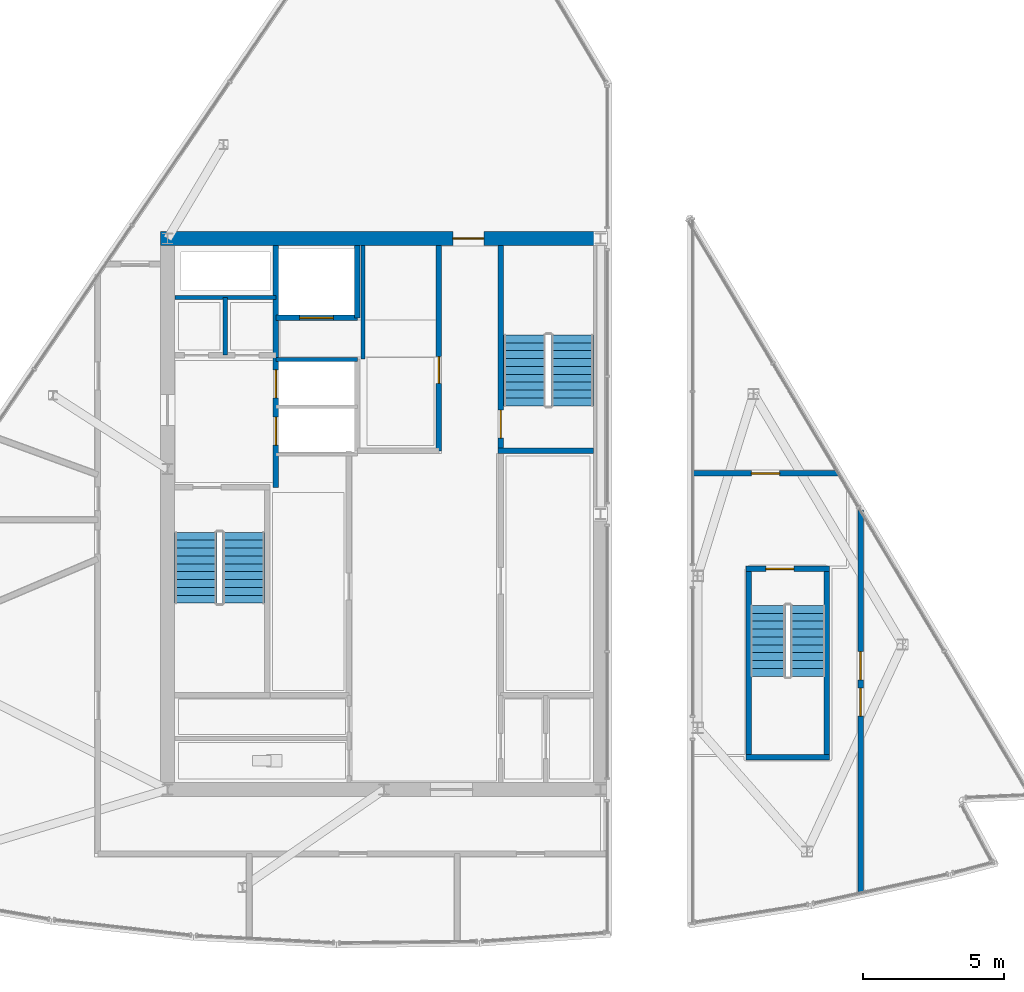
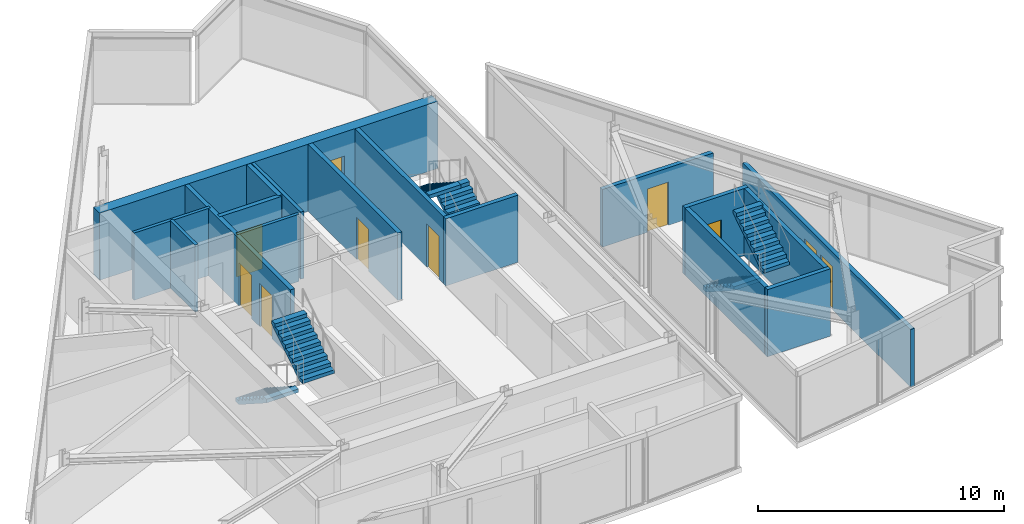
# One storey, part 10 of 15: 17 walls, 10 doors, 6 stair flights, 10 openings, 3 elements without a shape of their own.
"""IFC4 building model written with IfcOpenShell, lengths in metres."""

import ifcopenshell
import ifcopenshell.guid

model = None  # the IFC model being written
_history = None  # IfcOwnerHistory: only IFC2X3 demands one
_inside = {}  # id of a spatial element -> (the spatial element, [elements in it])
_under = {}  # id of a project, library or spatial element -> (it, [spatial elements below it])
_declared = {}  # id of a project -> (the project, [libraries it declares])
_typed = {}  # id of a type object -> (the type object, [elements of that type])
_made_of = {}  # id of a material, layer set ... -> (it, [elements and type objects made of it])


def new_model(schema):
    """Start an empty IFC model of exactly this schema.

    Asked for "IFC4X3", IfcOpenShell would pick the latest addendum, in which some entities
    have other attributes; the version numbers below select the first issue.
    IFC2X3 requires an IfcOwnerHistory on every rooted entity: one is made here for all.
    """
    global model, _history
    if schema == "IFC4X3":
        model = ifcopenshell.file(schema_version=(4, 3, 0, 0))
    else:
        model = ifcopenshell.file(schema=schema)
    _inside.clear()
    _under.clear()
    _declared.clear()
    _typed.clear()
    _made_of.clear()
    _history = None
    if model.schema == "IFC2X3":
        org = make("IfcOrganization", Name="unknown")
        user = make(
            "IfcPersonAndOrganization",
            ThePerson=make("IfcPerson", FamilyName="unknown"),
            TheOrganization=org,
        )
        app = make(
            "IfcApplication",
            ApplicationDeveloper=org,
            Version="unknown",
            ApplicationFullName="unknown",
            ApplicationIdentifier="unknown",
        )
        _history = make(
            "IfcOwnerHistory",
            OwningUser=user,
            OwningApplication=app,
            ChangeAction="ADDED",
            CreationDate=0,
        )
    return model


def make(cls, **values):
    """One entity of the class cls with the attributes given. An attribute that is None is left unset."""
    return model.create_entity(
        cls, **{name: value for name, value in values.items() if value is not None}
    )


def rooted(cls, **values):
    """An entity with a GlobalId (a new one), such as an element, a storey or a relation."""
    return make(cls, GlobalId=ifcopenshell.guid.new(), OwnerHistory=_history, **values)


def si_unit(unit_type, name, prefix=None):
    """IfcSIUnit, for example si_unit("LENGTHUNIT", "METRE", prefix="MILLI")."""
    return make("IfcSIUnit", UnitType=unit_type, Prefix=prefix, Name=name)


def assignment(units):
    """IfcUnitAssignment: the units of a project."""
    return None if units is None else make("IfcUnitAssignment", Units=units)


def point(xyz):
    """IfcCartesianPoint."""
    return None if xyz is None else make("IfcCartesianPoint", Coordinates=xyz)


def direction(xyz):
    """IfcDirection."""
    return None if xyz is None else make("IfcDirection", DirectionRatios=xyz)


def frame(location, z_axis=None, x_axis=None):
    """IfcAxis2Placement3D, a coordinate frame: its origin and axes. An axis left out is left unset."""
    return make(
        "IfcAxis2Placement3D",
        Location=point(location),
        Axis=direction(z_axis),
        RefDirection=direction(x_axis),
    )


def frame_2d(location, x_axis=None):
    """IfcAxis2Placement2D, a coordinate frame in the plane: its origin and x axis."""
    return make(
        "IfcAxis2Placement2D", Location=point(location), RefDirection=direction(x_axis)
    )


def origin():
    """The frame at (0, 0, 0) with its axes left unset."""
    return frame((0.0, 0.0, 0.0))


def place(relative_to, where):
    """IfcLocalPlacement: puts the frame where relative to a parent placement (None: the world)."""
    return make(
        "IfcLocalPlacement", PlacementRelTo=relative_to, RelativePlacement=where
    )


def context(
    kind, dimensions, precision=None, world=None, true_north=None, identifier=None
):
    """IfcGeometricRepresentationContext, for example the 3D "Model" context."""
    return make(
        "IfcGeometricRepresentationContext",
        ContextIdentifier=identifier,
        ContextType=kind,
        CoordinateSpaceDimension=dimensions,
        Precision=precision,
        WorldCoordinateSystem=world,
        TrueNorth=true_north,
    )


def subcontext(parent, identifier, kind, view, scale=None):
    """IfcGeometricRepresentationSubContext, for example "Body" below "Model"."""
    return make(
        "IfcGeometricRepresentationSubContext",
        ContextIdentifier=identifier,
        ContextType=kind,
        ParentContext=parent,
        TargetScale=scale,
        TargetView=view,
    )


def project(units=None, contexts=None):
    """IfcProject with its units and contexts."""
    return rooted(
        "IfcProject",
        Name="project",
        RepresentationContexts=contexts,
        UnitsInContext=assignment(units),
    )


def spatial(cls, under=None, at=None, **own):
    """A site, building, storey or space (cls), placed at a placement, below another one or the project."""
    s = rooted(cls, ObjectPlacement=at, **own)
    if under is not None:
        _under.setdefault(under.id(), (under, []))[1].append(s)
    return s


def polyline(points):
    """IfcPolyline through the points."""
    return make("IfcPolyline", Points=[point(p) for p in points])


def profile(cls, at=None, kind="AREA", **sizes):
    """A parametric profile (cls). Its sizes go by their IFC names, for example OverallWidth=200.0."""
    return make(cls, ProfileType=kind, Position=at, **sizes)


def rectangle(**sizes):
    """IfcRectangleProfileDef."""
    return profile("IfcRectangleProfileDef", **sizes)


def outline(outer, holes=None, kind="AREA"):
    """IfcArbitraryClosedProfileDef: a profile drawn as a closed curve; with holes, ...WithVoids."""
    if holes is None:
        return make("IfcArbitraryClosedProfileDef", ProfileType=kind, OuterCurve=outer)
    return make(
        "IfcArbitraryProfileDefWithVoids",
        ProfileType=kind,
        OuterCurve=outer,
        InnerCurves=holes,
    )


def extrude(swept, where, along, depth):
    """IfcExtrudedAreaSolid: the profile swept, set in the frame where, extruded along a direction by depth."""
    return make(
        "IfcExtrudedAreaSolid",
        SweptArea=swept,
        Position=where,
        ExtrudedDirection=direction(along),
        Depth=depth,
    )


def shape(context_of_items, identifier, shape_type, items):
    """IfcShapeRepresentation: the items that make up one representation, for example the "Body"."""
    return make(
        "IfcShapeRepresentation",
        ContextOfItems=context_of_items,
        RepresentationIdentifier=identifier,
        RepresentationType=shape_type,
        Items=items,
    )


def material(Name=None, Category=None):
    """IfcMaterial."""
    return make("IfcMaterial", Name=Name, Category=Category)


def layer(
    of_material, thickness, ventilated=None, Name=None, Category=None, Priority=None
):
    """IfcMaterialLayer: one layer of a wall or slab, of a material (None: an air gap)."""
    return make(
        "IfcMaterialLayer",
        Material=of_material,
        LayerThickness=thickness,
        IsVentilated=ventilated,
        Name=Name,
        Category=Category,
        Priority=Priority,
    )


def layer_set(layers, Name=None):
    """IfcMaterialLayerSet."""
    return make("IfcMaterialLayerSet", MaterialLayers=layers, LayerSetName=Name)


def made_of(thing, what):
    """Note that an element or type object is made of a material, layer set ...; save() writes the relation."""
    if what is not None:
        _made_of.setdefault(what.id(), (what, []))[1].append(thing)
    return thing


def type_object(cls, material=None, **own):
    """A type object (cls), such as IfcWallType, which elements share."""
    return made_of(rooted(cls, **own), material)


def element(
    cls,
    number,
    at=None,
    inside=None,
    cuts=None,
    type_object=None,
    material=None,
    context=None,
    identifier="Body",
    shape_type=None,
    held_by="IfcProductDefinitionShape",
    body=None,
    shapes=None,
    **own,
):
    """One element of the class cls, such as IfcWall. Its Tag is "e" and its number.

    at: its placement. inside: the storey or other place that contains it. cuts: it is an
    opening in that element (IfcRelVoidsElement). A single representation is given by context,
    identifier, shape_type and body (its items); several are given by shapes. held_by: the class
    of the entity that holds the representations. save() writes the other relations.
    """
    e = rooted(cls, Tag="e%d" % number, ObjectPlacement=at, **own)
    if body is not None:
        shapes = [shape(context, identifier, shape_type, body)]
    if shapes is not None:
        e.Representation = make(held_by, Representations=shapes)
    if inside is not None:
        _inside.setdefault(inside.id(), (inside, []))[1].append(e)
    if cuts is not None:
        rooted(
            "IfcRelVoidsElement", RelatingBuildingElement=cuts, RelatedOpeningElement=e
        )
    if type_object is not None:
        _typed.setdefault(type_object.id(), (type_object, []))[1].append(e)
    return made_of(e, material)


def fill(opening, filler):
    """IfcRelFillsElement: the door or window that sits in an opening."""
    return rooted(
        "IfcRelFillsElement",
        RelatingOpeningElement=opening,
        RelatedBuildingElement=filler,
    )


def aggregate(whole, parts):
    """IfcRelAggregates: a whole, such as a stair, and the parts it consists of."""
    return rooted("IfcRelAggregates", RelatingObject=whole, RelatedObjects=parts)


def save(model, path):
    """Write the relations noted so far, then the file.

    IfcRelAggregates (storeys below a building ...), IfcRelContainedInSpatialStructure (elements
    in a storey), IfcRelDefinesByType, IfcRelAssociatesMaterial and IfcRelDeclares: one each for
    every whole, place, type object, material and project.
    """
    for whole, parts in _under.values():
        aggregate(whole, parts)
    for where, things in _inside.values():
        rooted(
            "IfcRelContainedInSpatialStructure",
            RelatedElements=things,
            RelatingStructure=where,
        )
    for kind, things in _typed.values():
        rooted("IfcRelDefinesByType", RelatedObjects=things, RelatingType=kind)
    for what, things in _made_of.values():
        rooted("IfcRelAssociatesMaterial", RelatedObjects=things, RelatingMaterial=what)
    for by, libraries in _declared.values():
        rooted("IfcRelDeclares", RelatingContext=by, RelatedDefinitions=libraries)
    model.write(path)


model = new_model("IFC4")

# Units and contexts
model_context = context("Model", 3, precision=1e-05, world=origin(), true_north=direction((0.0, 1.0)))
body_context = subcontext(model_context, "Body", "Model", "MODEL_VIEW")
ifc_project = project(units=[si_unit("LENGTHUNIT", "METRE"), si_unit("AREAUNIT", "SQUARE_METRE"), si_unit("VOLUMEUNIT", "CUBIC_METRE"), si_unit("PLANEANGLEUNIT", "RADIAN"), si_unit("MASSUNIT", "GRAM", prefix="KILO")], contexts=[model_context])

# Site, building, storey
site_placement = place(None, origin())
site = spatial("IfcSite", under=ifc_project, at=site_placement, CompositionType="ELEMENT")
building_placement = place(site_placement, origin())
building = spatial("IfcBuilding", under=site, at=building_placement, Name="Savorim Split Tower", CompositionType="ELEMENT")
storey_placement = place(building_placement, frame((0.0, 0.0, 308.39990234375)))
storey = spatial("IfcBuildingStorey", under=building, at=storey_placement, Name="Crown L82 Plant", CompositionType="ELEMENT", Elevation=308.39990234375)

# Wall, opening, door
ifc_material_1 = material(Name="Concrete C60/75", Category="concrete")
ifc_layer_1 = layer(ifc_material_1, 0.5)
ifc_layer_set_1 = layer_set([ifc_layer_1], Name="WAL-COR-SH500")
wall_type_1 = type_object("IfcWallType", Name="WAL-COR-SH500", PredefinedType="SHEAR", material=ifc_layer_set_1)
wall_1_placement = place(storey_placement, frame((7.949951171875, 10.199951171875, 0.0), z_axis=(0.0, 0.0, 1.0), x_axis=(-1.0, 0.0, 0.0)))
wall_1 = element("IfcWall", 1, at=wall_1_placement, inside=storey, type_object=wall_type_1, Name="Crown L82 Plant Offset Core North Shear Wall", PredefinedType="SHEAR", context=body_context, shape_type="SweptSolid", body=[
    extrude(rectangle(XDim=15.89990234375, YDim=0.5, at=frame_2d((7.949951171875, 0.0))), origin(), (0.0, 0.0, 1.0), 3.340087890625),
])
opening_1_placement = place(wall_1_placement, frame((4.39990234375, 0.0, 0.0)))
opening_1 = element("IfcOpeningElement", 2, at=opening_1_placement, cuts=wall_1, Name="Opening DI-03", PredefinedType="OPENING", context=body_context, shape_type="SweptSolid", body=[
    extrude(rectangle(XDim=1.10009765625, YDim=2.14990234375, at=frame_2d((0.550048828125, 1.074951171875))), frame((0.0, 0.260009765625, 0.0), z_axis=(0.0, -1.0, 0.0), x_axis=(1.0, 0.0, 0.0)), (0.0, 0.0, 1.0), 0.52001953125),
])
ifc_material_2 = material(Name="Timber Fire Door Leaf", Category="wood")
door_type_1 = type_object("IfcDoorType", Name="DOR-FIR-1100", OperationType="NOTDEFINED", PredefinedType="DOOR", material=ifc_material_2)
door_1_placement = place(opening_1_placement, origin())
door_1 = element("IfcDoor", 3, at=door_1_placement, inside=storey, type_object=door_type_1, Name="DOR-Crown-L82-Plant-COR-NLOB - Crown L82 Plant North Corridor Lobby Fire Door", OperationType="SINGLE_SWING_LEFT", OverallHeight=2.14990234375, OverallWidth=1.10009765625, PredefinedType="DOOR", context=body_context, shape_type="SweptSolid", body=[
    extrude(rectangle(XDim=1.10009765625, YDim=2.14990234375, at=frame_2d((0.550048828125, 1.074951171875))), frame((0.0, 0.02490234375, 0.0), z_axis=(0.0, -1.0, 0.0), x_axis=(1.0, 0.0, 0.0)), (0.0, 0.0, 1.0), 0.050048828125),
])
fill(opening_1, door_1)

# Wall, openings, doors
ifc_material_3 = material(Name="Concrete C50/60", Category="concrete")
ifc_layer_2 = layer(ifc_material_3, 0.199951171875)
ifc_layer_set_2 = layer_set([ifc_layer_2], Name="WAL-INT-RC200")
wall_type_2 = type_object("IfcWallType", Name="WAL-INT-RC200", PredefinedType="SOLIDWALL", material=ifc_layer_set_2)
wall_2_placement = place(storey_placement, frame((-3.85009765625, 1.35009765625, 0.0), z_axis=(0.0, 0.0, 1.0), x_axis=(0.0, 1.0, 0.0)))
wall_2 = element("IfcWall", 4, at=wall_2_placement, inside=storey, type_object=wall_type_2, Name="Crown L82 Plant Partition W-Crown-L82-Plant-CR03", PredefinedType="SOLIDWALL", context=body_context, shape_type="SweptSolid", body=[
    extrude(rectangle(XDim=8.594970703125, YDim=0.199951171875, at=frame_2d((4.29736328125, 0.0))), origin(), (0.0, 0.0, 1.0), 3.340087890625),
])
opening_2_placement = place(wall_2_placement, frame((1.5, 0.0, 0.0)))
opening_2 = element("IfcOpeningElement", 5, at=opening_2_placement, cuts=wall_2, Name="Opening LD-FFL", PredefinedType="OPENING", context=body_context, shape_type="SweptSolid", body=[
    extrude(rectangle(XDim=1.0, YDim=2.14990234375, at=frame_2d((0.5, 1.074951171875))), frame((0.0, 0.10986328125, 0.0), z_axis=(0.0, -1.0, 0.0), x_axis=(1.0, 0.0, 0.0)), (0.0, 0.0, 1.0), 0.219970703125),
])
opening_3_placement = place(wall_2_placement, frame((3.179931640625, 0.0, 0.0)))
opening_3 = element("IfcOpeningElement", 6, at=opening_3_placement, cuts=wall_2, Name="Opening LD-FFL", PredefinedType="OPENING", context=body_context, shape_type="SweptSolid", body=[
    extrude(rectangle(XDim=1.0, YDim=2.14990234375, at=frame_2d((0.5, 1.074951171875))), frame((0.0, 0.10986328125, 0.0), z_axis=(0.0, -1.0, 0.0), x_axis=(1.0, 0.0, 0.0)), (0.0, 0.0, 1.0), 0.219970703125),
])
ifc_material_4 = material(Name="Charcoal Anodised Aluminium", Category="aluminium")
door_type_2 = type_object("IfcDoorType", Name="DOR-SLD-LD1000", OperationType="NOTDEFINED", PredefinedType="DOOR", material=ifc_material_4)
door_2_placement = place(opening_2_placement, origin())
door_2 = element("IfcDoor", 7, at=door_2_placement, inside=storey, type_object=door_type_2, Name="DR-Crown-L82-Plant-LD-FFL1 - Crown L82 Plant Firefighting Lift FFL-1 Sliding Landing Door", OperationType="DOUBLE_DOOR_SLIDING", OverallHeight=2.14990234375, OverallWidth=1.0, PredefinedType="DOOR", context=body_context, shape_type="SweptSolid", body=[
    extrude(rectangle(XDim=1.0, YDim=2.14990234375, at=frame_2d((0.5, 1.074951171875))), frame((0.0, 0.02490234375, 0.0), z_axis=(0.0, -1.0, 0.0), x_axis=(1.0, 0.0, 0.0)), (0.0, 0.0, 1.0), 0.050048828125),
])
fill(opening_2, door_2)
door_3_placement = place(opening_3_placement, origin())
door_3 = element("IfcDoor", 8, at=door_3_placement, inside=storey, type_object=door_type_2, Name="DR-Crown-L82-Plant-LD-FFL2 - Crown L82 Plant Firefighting Lift FFL-2 Sliding Landing Door", OperationType="DOUBLE_DOOR_SLIDING", OverallHeight=2.14990234375, OverallWidth=1.0, PredefinedType="DOOR", context=body_context, shape_type="SweptSolid", body=[
    extrude(rectangle(XDim=1.0, YDim=2.14990234375, at=frame_2d((0.5, 1.074951171875))), frame((0.0, 0.02490234375, 0.0), z_axis=(0.0, -1.0, 0.0), x_axis=(1.0, 0.0, 0.0)), (0.0, 0.0, 1.0), 0.050048828125),
])
fill(opening_3, door_3)

# Wall, opening, door
wall_3_placement = place(storey_placement, frame((4.14990234375, 2.75, 0.0), z_axis=(0.0, 0.0, 1.0), x_axis=(0.0, 1.0, 0.0)))
wall_3 = element("IfcWall", 9, at=wall_3_placement, inside=storey, type_object=wall_type_2, Name="Crown L82 Plant Structural Shaft Wall W-Crown-L82-Plant-CR07", PredefinedType="SOLIDWALL", context=body_context, shape_type="SweptSolid", body=[
    extrude(rectangle(XDim=7.199951171875, YDim=0.199951171875, at=frame_2d((3.60009765625, 0.0))), origin(), (0.0, 0.0, 1.0), 3.340087890625),
])
opening_4_placement = place(wall_3_placement, frame((0.35009765625, 0.0, 0.0)))
opening_4 = element("IfcOpeningElement", 10, at=opening_4_placement, cuts=wall_3, Name="Opening DI-04", PredefinedType="OPENING", context=body_context, shape_type="SweptSolid", body=[
    extrude(rectangle(XDim=1.0, YDim=2.14990234375, at=frame_2d((0.5, 1.074951171875))), frame((0.0, 0.10986328125, 0.0), z_axis=(0.0, -1.0, 0.0), x_axis=(1.0, 0.0, 0.0)), (0.0, 0.0, 1.0), 0.219970703125),
])
door_type_3 = type_object("IfcDoorType", Name="DOR-FIR-1000", OperationType="NOTDEFINED", PredefinedType="DOOR", material=ifc_material_2)
door_4_placement = place(opening_4_placement, origin())
door_4 = element("IfcDoor", 11, at=door_4_placement, inside=storey, type_object=door_type_3, Name="DR-Crown-L82-Plant-ST2 - Crown L82 Plant Stair ST-2 Enclosure Door", OperationType="SINGLE_SWING_RIGHT", OverallHeight=2.14990234375, OverallWidth=1.0, PredefinedType="DOOR", context=body_context, shape_type="SweptSolid", body=[
    extrude(rectangle(XDim=1.0, YDim=2.14990234375, at=frame_2d((0.5, 1.074951171875))), frame((0.0, 0.02490234375, 0.0), z_axis=(0.0, -1.0, 0.0), x_axis=(1.0, 0.0, 0.0)), (0.0, 0.0, 1.0), 0.050048828125),
])
fill(opening_4, door_4)

# Wall
wall_4_placement = place(storey_placement, frame((4.050048828125, 2.64990234375, 0.0), z_axis=(0.0, 0.0, 1.0), x_axis=(1.0, 0.0, 0.0)))
element("IfcWall", 12, at=wall_4_placement, inside=storey, type_object=wall_type_2, Name="Crown L82 Plant Structural Shaft Wall W-Crown-L82-Plant-CR08", PredefinedType="SOLIDWALL", context=body_context, shape_type="SweptSolid", body=[
    extrude(rectangle(XDim=3.39990234375, YDim=0.199951171875, at=frame_2d((1.699951171875, 0.0))), origin(), (0.0, 0.0, 1.0), 3.340087890625),
])

# Wall, opening, door
wall_5_placement = place(storey_placement, frame((-3.85009765625, 7.3798828125, 0.0), z_axis=(0.0, 0.0, 1.0), x_axis=(1.0, 0.0, 0.0)))
wall_5 = element("IfcWall", 13, at=wall_5_placement, inside=storey, type_object=wall_type_2, Name="Crown L82 Plant Partition W-Crown-L82-Plant-SVLS", PredefinedType="SOLIDWALL", context=body_context, shape_type="SweptSolid", body=[
    extrude(rectangle(XDim=2.900146484375, YDim=0.199951171875, at=frame_2d((1.4501953125, 0.0))), origin(), (0.0, 0.0, 1.0), 3.340087890625),
])
opening_5_placement = place(wall_5_placement, frame((0.85009765625, 0.0, 0.0)))
opening_5 = element("IfcOpeningElement", 14, at=opening_5_placement, cuts=wall_5, Name="Opening LD-SV", PredefinedType="OPENING", context=body_context, shape_type="SweptSolid", body=[
    extrude(rectangle(XDim=1.199951171875, YDim=2.199951171875, at=frame_2d((0.60009765625, 1.10009765625))), frame((0.0, 0.10986328125, 0.0), z_axis=(0.0, -1.0, 0.0), x_axis=(1.0, 0.0, 0.0)), (0.0, 0.0, 1.0), 0.219970703125),
])
door_type_4 = type_object("IfcDoorType", Name="DOR-SLD-SV1200", OperationType="NOTDEFINED", PredefinedType="DOOR", material=ifc_material_4)
door_5_placement = place(opening_5_placement, origin())
door_5 = element("IfcDoor", 15, at=door_5_placement, inside=storey, type_object=door_type_4, Name="DR-Crown-L82-Plant-LD-SVL1 - Crown L82 Plant Service Lift SVL-1 Sliding Landing Door", OperationType="DOUBLE_DOOR_SLIDING", OverallHeight=2.199951171875, OverallWidth=1.199951171875, PredefinedType="DOOR", context=body_context, shape_type="SweptSolid", body=[
    extrude(rectangle(XDim=1.199951171875, YDim=2.199951171875, at=frame_2d((0.60009765625, 1.10009765625))), frame((0.0, 0.02490234375, 0.0), z_axis=(0.0, -1.0, 0.0), x_axis=(1.0, 0.0, 0.0)), (0.0, 0.0, 1.0), 0.050048828125),
])
fill(opening_5, door_5)

# Wall
wall_6_placement = place(storey_placement, frame((-0.949951171875, 7.3798828125, 0.0), z_axis=(0.0, 0.0, 1.0), x_axis=(0.0, 1.0, 0.0)))
element("IfcWall", 16, at=wall_6_placement, inside=storey, type_object=wall_type_2, Name="Crown L82 Plant Partition W-Crown-L82-Plant-SVLE", PredefinedType="SOLIDWALL", context=body_context, shape_type="SweptSolid", body=[
    extrude(rectangle(XDim=2.565185546875, YDim=0.199951171875, at=frame_2d((1.28271484375, 0.0))), origin(), (0.0, 0.0, 1.0), 3.340087890625),
])

# Wall, opening, door
wall_7_placement = place(storey_placement, frame((1.949951171875, 2.64990234375, 0.0), z_axis=(0.0, 0.0, 1.0), x_axis=(0.0, 1.0, 0.0)))
wall_7 = element("IfcWall", 17, at=wall_7_placement, inside=storey, type_object=wall_type_2, Name="Crown L82 Plant Partition W-Crown-L82-Plant-B3FRONT", PredefinedType="SOLIDWALL", context=body_context, shape_type="SweptSolid", body=[
    extrude(rectangle(XDim=7.295166015625, YDim=0.199951171875, at=frame_2d((3.6474609375, 0.0))), origin(), (0.0, 0.0, 1.0), 3.340087890625),
])
opening_6_placement = place(wall_7_placement, frame((2.39990234375, 0.0, 0.0)))
opening_6 = element("IfcOpeningElement", 18, at=opening_6_placement, cuts=wall_7, Name="Opening DI-05", PredefinedType="OPENING", context=body_context, shape_type="SweptSolid", body=[
    extrude(rectangle(XDim=0.949951171875, YDim=2.10009765625, at=frame_2d((0.47509765625, 1.050048828125))), frame((0.0, 0.10986328125, 0.0), z_axis=(0.0, -1.0, 0.0), x_axis=(1.0, 0.0, 0.0)), (0.0, 0.0, 1.0), 0.219970703125),
])
door_type_5 = type_object("IfcDoorType", Name="DOR-FIR-950", OperationType="NOTDEFINED", PredefinedType="DOOR", material=ifc_material_2)
door_6_placement = place(opening_6_placement, origin())
door_6 = element("IfcDoor", 19, at=door_6_placement, inside=storey, type_object=door_type_5, Name="DR-Crown-L82-Plant-B3CRN - Crown L82 Plant Crown BMS Plant Room Door", OperationType="SINGLE_SWING_LEFT", OverallHeight=2.10009765625, OverallWidth=0.949951171875, PredefinedType="DOOR", context=body_context, shape_type="SweptSolid", body=[
    extrude(rectangle(XDim=0.949951171875, YDim=2.10009765625, at=frame_2d((0.47509765625, 1.050048828125))), frame((0.0, 0.02490234375, 0.0), z_axis=(0.0, -1.0, 0.0), x_axis=(1.0, 0.0, 0.0)), (0.0, 0.0, 1.0), 0.050048828125),
])
fill(opening_6, door_6)

# Wall
wall_8_placement = place(storey_placement, frame((12.8798828125, -8.25, 0.0), z_axis=(0.0, 0.0, 1.0), x_axis=(1.0, 0.0, 0.0)))
element("IfcWall", 20, at=wall_8_placement, inside=storey, type_object=wall_type_2, Name="Crown L82 Plant Structural Shaft Wall W-Crown-L82-Plant-STCES", PredefinedType="SOLIDWALL", context=body_context, shape_type="SweptSolid", body=[
    extrude(rectangle(XDim=2.97021484375, YDim=0.199951171875, at=frame_2d((1.485107421875, 0.0))), origin(), (0.0, 0.0, 1.0), 3.340087890625),
])

# Wall, opening, door
wall_9_placement = place(storey_placement, frame((12.8798828125, -1.550048828125, 0.0), z_axis=(0.0, 0.0, 1.0), x_axis=(1.0, 0.0, 0.0)))
wall_9 = element("IfcWall", 21, at=wall_9_placement, inside=storey, type_object=wall_type_2, Name="Crown L82 Plant Structural Shaft Wall W-Crown-L82-Plant-STCEN", PredefinedType="SOLIDWALL", context=body_context, shape_type="SweptSolid", body=[
    extrude(rectangle(XDim=2.97021484375, YDim=0.199951171875, at=frame_2d((1.485107421875, 0.0))), origin(), (0.0, 0.0, 1.0), 3.340087890625),
])
opening_7_placement = place(wall_9_placement, frame((0.699951171875, 0.0, 0.0)))
opening_7 = element("IfcOpeningElement", 22, at=opening_7_placement, cuts=wall_9, Name="Opening DI-04", PredefinedType="OPENING", context=body_context, shape_type="SweptSolid", body=[
    extrude(rectangle(XDim=1.0, YDim=2.14990234375, at=frame_2d((0.5, 1.074951171875))), frame((0.0, 0.10986328125, 0.0), z_axis=(0.0, -1.0, 0.0), x_axis=(1.0, 0.0, 0.0)), (0.0, 0.0, 1.0), 0.219970703125),
])
door_7_placement = place(opening_7_placement, origin())
door_7 = element("IfcDoor", 23, at=door_7_placement, inside=storey, type_object=door_type_3, Name="DR-Crown-L82-Plant-STCE - Crown L82 Plant East Crown Stair Door", OperationType="SINGLE_SWING_RIGHT", OverallHeight=2.14990234375, OverallWidth=1.0, PredefinedType="DOOR", context=body_context, shape_type="SweptSolid", body=[
    extrude(rectangle(XDim=1.0, YDim=2.14990234375, at=frame_2d((0.5, 1.074951171875))), frame((0.0, 0.02490234375, 0.0), z_axis=(0.0, -1.0, 0.0), x_axis=(1.0, 0.0, 0.0)), (0.0, 0.0, 1.0), 0.050048828125),
])
fill(opening_7, door_7)

# Walls
for number, where, z_axis, x_axis, name in (
    (24, (12.969970703125, -8.14990234375, 0.0), (0.0, 0.0, 1.0), (0.0, 1.0, 0.0), "Crown L82 Plant Structural Shaft Wall W-Crown-L82-Plant-STCEW"),
    (25, (15.75, -8.14990234375, 0.0), (0.0, 0.0, 1.0), (0.0, 1.0, 0.0), "Crown L82 Plant Structural Shaft Wall W-Crown-L82-Plant-STCEE"),
):
    element("IfcWall", number, at=place(storey_placement, frame(where, z_axis=z_axis, x_axis=x_axis)), inside=storey, type_object=wall_type_2, Name=name, PredefinedType="SOLIDWALL", context=body_context, shape_type="SweptSolid", body=[
        extrude(rectangle(XDim=6.5, YDim=0.199951171875, at=frame_2d((3.25, 0.0))), origin(), (0.0, 0.0, 1.0), 3.340087890625),
    ])

# Wall, openings, doors
wall_10_placement = place(storey_placement, frame((16.949951171875, -13.123779296875, 0.0), z_axis=(0.0, 0.0, 1.0), x_axis=(0.0, 1.0, 0.0)))
wall_10 = element("IfcWall", 26, at=wall_10_placement, inside=storey, type_object=wall_type_2, Name="Crown L82 Plant Partition W-Crown-L82-Plant-ECE", PredefinedType="SOLIDWALL", context=body_context, shape_type="SweptSolid", body=[
    extrude(rectangle(XDim=13.664794921875, YDim=0.199951171875, at=frame_2d((6.83251953125, 0.0))), origin(), (0.0, 0.0, 1.0), 2.864990234375),
])
opening_8_placement = place(wall_10_placement, frame((6.332275390625, 0.0, 0.0)))
opening_8 = element("IfcOpeningElement", 27, at=opening_8_placement, cuts=wall_10, Name="Opening DI-04", PredefinedType="OPENING", context=body_context, shape_type="SweptSolid", body=[
    extrude(rectangle(XDim=1.0, YDim=2.14990234375, at=frame_2d((0.5, 1.074951171875))), frame((0.0, 0.10986328125, 0.0), z_axis=(0.0, -1.0, 0.0), x_axis=(1.0, 0.0, 0.0)), (0.0, 0.0, 1.0), 0.219970703125),
])
opening_9_placement = place(wall_10_placement, frame((7.62841796875, 0.0, 0.0)))
opening_9 = element("IfcOpeningElement", 28, at=opening_9_placement, cuts=wall_10, Name="Opening DI-04", PredefinedType="OPENING", context=body_context, shape_type="SweptSolid", body=[
    extrude(rectangle(XDim=1.0, YDim=2.14990234375, at=frame_2d((0.5, 1.074951171875))), frame((0.0, 0.10986328125, 0.0), z_axis=(0.0, -1.0, 0.0), x_axis=(1.0, 0.0, 0.0)), (0.0, 0.0, 1.0), 0.219970703125),
])
door_8_placement = place(opening_8_placement, origin())
door_8 = element("IfcDoor", 29, at=door_8_placement, inside=storey, type_object=door_type_3, Name="DR-Crown-L82-Plant-ERM01 - Crown L82 Plant East Cooling Plant Room Entry Door", OperationType="SINGLE_SWING_RIGHT", OverallHeight=2.14990234375, OverallWidth=1.0, PredefinedType="DOOR", context=body_context, shape_type="SweptSolid", body=[
    extrude(rectangle(XDim=1.0, YDim=2.14990234375, at=frame_2d((0.5, 1.074951171875))), frame((0.0, 0.02490234375, 0.0), z_axis=(0.0, -1.0, 0.0), x_axis=(1.0, 0.0, 0.0)), (0.0, 0.0, 1.0), 0.050048828125),
])
fill(opening_8, door_8)
door_9_placement = place(opening_9_placement, origin())
door_9 = element("IfcDoor", 30, at=door_9_placement, inside=storey, type_object=door_type_3, Name="DR-Crown-L82-Plant-ERM02 - Crown L82 Plant East Heat Recovery AHU Plant Room Entry Door", OperationType="SINGLE_SWING_LEFT", OverallHeight=2.14990234375, OverallWidth=1.0, PredefinedType="DOOR", context=body_context, shape_type="SweptSolid", body=[
    extrude(rectangle(XDim=1.0, YDim=2.14990234375, at=frame_2d((0.5, 1.074951171875))), frame((0.0, 0.02490234375, 0.0), z_axis=(0.0, -1.0, 0.0), x_axis=(1.0, 0.0, 0.0)), (0.0, 0.0, 1.0), 0.050048828125),
])
fill(opening_9, door_9)

# Wall, opening, door
wall_11_placement = place(storey_placement, frame((10.9599609375, 1.85009765625, 0.0), z_axis=(0.0, 0.0, 1.0), x_axis=(1.0, 0.0, 0.0)))
wall_11 = element("IfcWall", 31, at=wall_11_placement, inside=storey, type_object=wall_type_2, Name="Crown L82 Plant Partition W-Crown-L82-Plant-ECN", PredefinedType="SOLIDWALL", context=body_context, shape_type="SweptSolid", body=[
    extrude(rectangle(XDim=5.211669921875, YDim=0.199951171875, at=frame_2d((2.60595703125, 0.0))), origin(), (0.0, 0.0, 1.0), 2.864990234375),
])
opening_10_placement = place(wall_11_placement, frame((2.105712890625, 0.0, 0.0)))
opening_10 = element("IfcOpeningElement", 32, at=opening_10_placement, cuts=wall_11, Name="Opening DI-04", PredefinedType="OPENING", context=body_context, shape_type="SweptSolid", body=[
    extrude(rectangle(XDim=1.0, YDim=2.14990234375, at=frame_2d((0.5, 1.074951171875))), frame((0.0, 0.10986328125, 0.0), z_axis=(0.0, -1.0, 0.0), x_axis=(1.0, 0.0, 0.0)), (0.0, 0.0, 1.0), 0.219970703125),
])
door_10_placement = place(opening_10_placement, origin())
door_10 = element("IfcDoor", 33, at=door_10_placement, inside=storey, type_object=door_type_3, Name="DR-Crown-L82-Plant-ERM03 - Crown L82 Plant East Cooling Plant Room Entry Door", OperationType="SINGLE_SWING_RIGHT", OverallHeight=2.14990234375, OverallWidth=1.0, PredefinedType="DOOR", context=body_context, shape_type="SweptSolid", body=[
    extrude(rectangle(XDim=1.0, YDim=2.14990234375, at=frame_2d((0.5, 1.074951171875))), frame((0.0, 0.02490234375, 0.0), z_axis=(0.0, -1.0, 0.0), x_axis=(1.0, 0.0, 0.0)), (0.0, 0.0, 1.0), 0.050048828125),
])
fill(opening_10, door_10)

# Walls
ifc_material_5 = material(Name="Acoustic Gypsum Partition Board")
ifc_layer_3 = layer(ifc_material_5, 0.14990234375)
ifc_layer_set_3 = layer_set([ifc_layer_3], Name="WAL-PAR-150")
wall_type_3 = type_object("IfcWallType", Name="WAL-PAR-150", PredefinedType="PARTITIONING", material=ifc_layer_set_3)
wall_12_placement = place(storey_placement, frame((-7.445068359375, 8.10009765625, 0.0), z_axis=(0.0, 0.0, 1.0), x_axis=(1.0, 0.0, 0.0)))
element("IfcWall", 34, at=wall_12_placement, inside=storey, type_object=wall_type_3, Name="Crown L82 Plant Partition W-Crown-L82-Plant-CR05", PredefinedType="PARTITIONING", context=body_context, shape_type="SweptSolid", body=[
    extrude(rectangle(XDim=3.594970703125, YDim=0.14990234375, at=frame_2d((1.79736328125, 0.0))), origin(), (0.0, 0.0, 1.0), 3.340087890625),
])
wall_13_placement = place(storey_placement, frame((-5.64990234375, 6.050048828125, 0.0), z_axis=(0.0, 0.0, 1.0), x_axis=(0.0, 1.0, 0.0)))
element("IfcWall", 35, at=wall_13_placement, inside=storey, type_object=wall_type_3, Name="Crown L82 Plant Partition W-Crown-L82-Plant-CR06", PredefinedType="PARTITIONING", context=body_context, shape_type="SweptSolid", body=[
    extrude(rectangle(XDim=2.050048828125, YDim=0.14990234375, at=frame_2d((1.02490234375, 0.0))), origin(), (0.0, 0.0, 1.0), 3.340087890625),
])
wall_14_placement = place(storey_placement, frame((-3.85009765625, 5.89990234375, 0.0), z_axis=(0.0, 0.0, 1.0), x_axis=(1.0, 0.0, 0.0)))
element("IfcWall", 36, at=wall_14_placement, inside=storey, type_object=wall_type_3, Name="Crown L82 Plant Partition W-Crown-L82-Plant-FFLD2", PredefinedType="PARTITIONING", context=body_context, shape_type="SweptSolid", body=[
    extrude(rectangle(XDim=2.900146484375, YDim=0.14990234375, at=frame_2d((1.4501953125, 0.0))), origin(), (0.0, 0.0, 1.0), 3.340087890625),
])
wall_15_placement = place(storey_placement, frame((-0.75, 5.919921875, 0.0), z_axis=(0.0, 0.0, 1.0), x_axis=(0.0, 1.0, 0.0)))
element("IfcWall", 37, at=wall_15_placement, inside=storey, type_object=wall_type_3, Name="Crown L82 Plant Partition W-Crown-L82-Plant-B3WEST", PredefinedType="PARTITIONING", context=body_context, shape_type="SweptSolid", body=[
    extrude(rectangle(XDim=4.025146484375, YDim=0.14990234375, at=frame_2d((2.0126953125, 0.0))), origin(), (0.0, 0.0, 1.0), 3.340087890625),
])

# Stair, stair flights
stair_type_1 = type_object("IfcStairType", Name="STR-CRN-3600", PredefinedType="HALF_TURN_STAIR", material=ifc_material_3)
stair_1_placement = place(storey_placement, origin())
stair_1 = element("IfcStair", 38, at=stair_1_placement, inside=storey, type_object=stair_type_1, Name="Crown L82 Plant East Crown Peak Internal Plant Stair ST-CRN-E", PredefinedType="HALF_TURN_STAIR")
stair_flight_type_1 = type_object("IfcStairFlightType", Name="SFL-CRN-3600", PredefinedType="STRAIGHT", material=ifc_material_3)
stair_flight_1_placement = place(storey_placement, frame((13.64501953125, -2.85009765625, 0.0), z_axis=(0.0, 0.0, 1.0), x_axis=(0.0, -1.0, 0.0)))
stair_flight_1 = element("IfcStairFlight", 39, at=stair_flight_1_placement, type_object=stair_flight_type_1, Name="ST-CRN-E flight 1", NumberOfRisers=10, NumberOfTreads=9, PredefinedType="STRAIGHT", RiserHeight=0.18, TreadLength=0.28, context=body_context, shape_type="SweptSolid", body=[
    extrude(outline(polyline([(0.0, 0.0), (0.0, 0.179931640625), (0.280029296875, 0.179931640625), (0.280029296875, 0.360107421875), (0.56005859375, 0.360107421875), (0.56005859375, 0.5400390625), (0.840087890625, 0.5400390625), (0.840087890625, 0.719970703125), (1.1201171875, 0.719970703125), (1.1201171875, 0.89990234375), (1.39990234375, 0.89990234375), (1.39990234375, 1.080078125), (1.679931640625, 1.080078125), (1.679931640625, 1.260009765625), (1.9599609375, 1.260009765625), (1.9599609375, 1.43994140625), (2.239990234375, 1.43994140625), (2.239990234375, 1.6201171875), (2.52001953125, 1.6201171875), (2.52001953125, 1.800048828125), (2.52001953125, 1.44189453125), (0.277099609375, 0.0), (0.0, 0.0)])), frame((0.0, 0.625, 0.0), z_axis=(0.0, -1.0, 0.0), x_axis=(1.0, 0.0, 0.0)), (0.0, 0.0, 1.0), 1.25),
])
stair_flight_2_placement = place(storey_placement, frame((15.074951171875, -5.3701171875, 1.800048828125), z_axis=(0.0, 0.0, 1.0), x_axis=(0.0, 1.0, 0.0)))
stair_flight_2 = element("IfcStairFlight", 40, at=stair_flight_2_placement, type_object=stair_flight_type_1, Name="ST-CRN-E flight 2", NumberOfRisers=10, NumberOfTreads=9, PredefinedType="STRAIGHT", RiserHeight=0.18, TreadLength=0.28, context=body_context, shape_type="SweptSolid", body=[
    extrude(outline(polyline([(0.0, 0.0), (0.0, 0.179931640625), (0.280029296875, 0.179931640625), (0.280029296875, 0.360107421875), (0.56005859375, 0.360107421875), (0.56005859375, 0.5400390625), (0.840087890625, 0.5400390625), (0.840087890625, 0.719970703125), (1.1201171875, 0.719970703125), (1.1201171875, 0.89990234375), (1.39990234375, 0.89990234375), (1.39990234375, 1.080078125), (1.679931640625, 1.080078125), (1.679931640625, 1.260009765625), (1.9599609375, 1.260009765625), (1.9599609375, 1.43994140625), (2.239990234375, 1.43994140625), (2.239990234375, 1.6201171875), (2.52001953125, 1.6201171875), (2.52001953125, 1.800048828125), (2.52001953125, 1.44189453125), (0.277099609375, 0.0), (0.0, 0.0)])), frame((0.0, 0.625, 0.0), z_axis=(0.0, -1.0, 0.0), x_axis=(1.0, 0.0, 0.0)), (0.0, 0.0, 1.0), 1.25),
])
aggregate(stair_1, [stair_flight_1, stair_flight_2])

stair_type_2 = type_object("IfcStairType", Name="STR-DOG-3600", PredefinedType="HALF_TURN_STAIR", material=ifc_material_3)
stair_2_placement = place(storey_placement, origin())
stair_2 = element("IfcStair", 41, at=stair_2_placement, inside=storey, type_object=stair_type_2, Name="Crown L82 Plant Core Protected Exit Stair ST-1", PredefinedType="HALF_TURN_STAIR")
stair_flight_type_2 = type_object("IfcStairFlightType", Name="SFL-DOG-3600", PredefinedType="STRAIGHT", material=ifc_material_3)
stair_flight_3_placement = place(storey_placement, frame((-6.699951171875, -0.25, 0.0), z_axis=(0.0, 0.0, 1.0), x_axis=(0.0, -1.0, 0.0)))
stair_flight_3 = element("IfcStairFlight", 42, at=stair_flight_3_placement, type_object=stair_flight_type_2, Name="ST-1 flight 1", NumberOfRisers=10, NumberOfTreads=9, PredefinedType="STRAIGHT", RiserHeight=0.18, TreadLength=0.28, context=body_context, shape_type="SweptSolid", body=[
    extrude(outline(polyline([(0.0, 0.0), (0.0, 0.179931640625), (0.280029296875, 0.179931640625), (0.280029296875, 0.360107421875), (0.56005859375, 0.360107421875), (0.56005859375, 0.5400390625), (0.840087890625, 0.5400390625), (0.840087890625, 0.719970703125), (1.1201171875, 0.719970703125), (1.1201171875, 0.89990234375), (1.39990234375, 0.89990234375), (1.39990234375, 1.080078125), (1.679931640625, 1.080078125), (1.679931640625, 1.260009765625), (1.9599609375, 1.260009765625), (1.9599609375, 1.43994140625), (2.239990234375, 1.43994140625), (2.239990234375, 1.6201171875), (2.52001953125, 1.6201171875), (2.52001953125, 1.800048828125), (2.52001953125, 1.44189453125), (0.277099609375, 0.0), (0.0, 0.0)])), frame((0.0, 0.75, 0.0), z_axis=(0.0, -1.0, 0.0), x_axis=(1.0, 0.0, 0.0)), (0.0, 0.0, 1.0), 1.5),
])
stair_flight_4_placement = place(storey_placement, frame((-5.0, -2.77001953125, 1.800048828125), z_axis=(0.0, 0.0, 1.0), x_axis=(0.0, 1.0, 0.0)))
stair_flight_4 = element("IfcStairFlight", 43, at=stair_flight_4_placement, type_object=stair_flight_type_2, Name="ST-1 flight 2", NumberOfRisers=10, NumberOfTreads=9, PredefinedType="STRAIGHT", RiserHeight=0.18, TreadLength=0.28, context=body_context, shape_type="SweptSolid", body=[
    extrude(outline(polyline([(0.0, 0.0), (0.0, 0.179931640625), (0.280029296875, 0.179931640625), (0.280029296875, 0.360107421875), (0.56005859375, 0.360107421875), (0.56005859375, 0.5400390625), (0.840087890625, 0.5400390625), (0.840087890625, 0.719970703125), (1.1201171875, 0.719970703125), (1.1201171875, 0.89990234375), (1.39990234375, 0.89990234375), (1.39990234375, 1.080078125), (1.679931640625, 1.080078125), (1.679931640625, 1.260009765625), (1.9599609375, 1.260009765625), (1.9599609375, 1.43994140625), (2.239990234375, 1.43994140625), (2.239990234375, 1.6201171875), (2.52001953125, 1.6201171875), (2.52001953125, 1.800048828125), (2.52001953125, 1.44189453125), (0.277099609375, 0.0), (0.0, 0.0)])), frame((0.0, 0.75, 0.0), z_axis=(0.0, -1.0, 0.0), x_axis=(1.0, 0.0, 0.0)), (0.0, 0.0, 1.0), 1.5),
])
aggregate(stair_2, [stair_flight_3, stair_flight_4])

stair_3_placement = place(storey_placement, origin())
stair_3 = element("IfcStair", 44, at=stair_3_placement, inside=storey, type_object=stair_type_2, Name="Crown L82 Plant Core Protected Exit Stair ST-2", PredefinedType="HALF_TURN_STAIR")
stair_flight_5_placement = place(storey_placement, frame((6.699951171875, 4.25, 0.0), z_axis=(0.0, 0.0, 1.0), x_axis=(0.0, 1.0, 0.0)))
stair_flight_5 = element("IfcStairFlight", 45, at=stair_flight_5_placement, type_object=stair_flight_type_2, Name="ST-2 flight 1", NumberOfRisers=10, NumberOfTreads=9, PredefinedType="STRAIGHT", RiserHeight=0.18, TreadLength=0.28, context=body_context, shape_type="SweptSolid", body=[
    extrude(outline(polyline([(0.0, 0.0), (0.0, 0.179931640625), (0.280029296875, 0.179931640625), (0.280029296875, 0.360107421875), (0.56005859375, 0.360107421875), (0.56005859375, 0.5400390625), (0.840087890625, 0.5400390625), (0.840087890625, 0.719970703125), (1.1201171875, 0.719970703125), (1.1201171875, 0.89990234375), (1.39990234375, 0.89990234375), (1.39990234375, 1.080078125), (1.679931640625, 1.080078125), (1.679931640625, 1.260009765625), (1.9599609375, 1.260009765625), (1.9599609375, 1.43994140625), (2.239990234375, 1.43994140625), (2.239990234375, 1.6201171875), (2.52001953125, 1.6201171875), (2.52001953125, 1.800048828125), (2.52001953125, 1.44189453125), (0.277099609375, 0.0), (0.0, 0.0)])), frame((0.0, 0.75, 0.0), z_axis=(0.0, -1.0, 0.0), x_axis=(1.0, 0.0, 0.0)), (0.0, 0.0, 1.0), 1.5),
])
stair_flight_6_placement = place(storey_placement, frame((5.0, 6.77001953125, 1.800048828125), z_axis=(0.0, 0.0, 1.0), x_axis=(0.0, -1.0, 0.0)))
stair_flight_6 = element("IfcStairFlight", 46, at=stair_flight_6_placement, type_object=stair_flight_type_2, Name="ST-2 flight 2", NumberOfRisers=10, NumberOfTreads=9, PredefinedType="STRAIGHT", RiserHeight=0.18, TreadLength=0.28, context=body_context, shape_type="SweptSolid", body=[
    extrude(outline(polyline([(0.0, 0.0), (0.0, 0.179931640625), (0.280029296875, 0.179931640625), (0.280029296875, 0.360107421875), (0.56005859375, 0.360107421875), (0.56005859375, 0.5400390625), (0.840087890625, 0.5400390625), (0.840087890625, 0.719970703125), (1.1201171875, 0.719970703125), (1.1201171875, 0.89990234375), (1.39990234375, 0.89990234375), (1.39990234375, 1.080078125), (1.679931640625, 1.080078125), (1.679931640625, 1.260009765625), (1.9599609375, 1.260009765625), (1.9599609375, 1.43994140625), (2.239990234375, 1.43994140625), (2.239990234375, 1.6201171875), (2.52001953125, 1.6201171875), (2.52001953125, 1.800048828125), (2.52001953125, 1.44189453125), (0.277099609375, 0.0), (0.0, 0.0)])), frame((0.0, 0.75, 0.0), z_axis=(0.0, -1.0, 0.0), x_axis=(1.0, 0.0, 0.0)), (0.0, 0.0, 1.0), 1.5),
])
aggregate(stair_3, [stair_flight_5, stair_flight_6])

save(model, "model.ifc")
